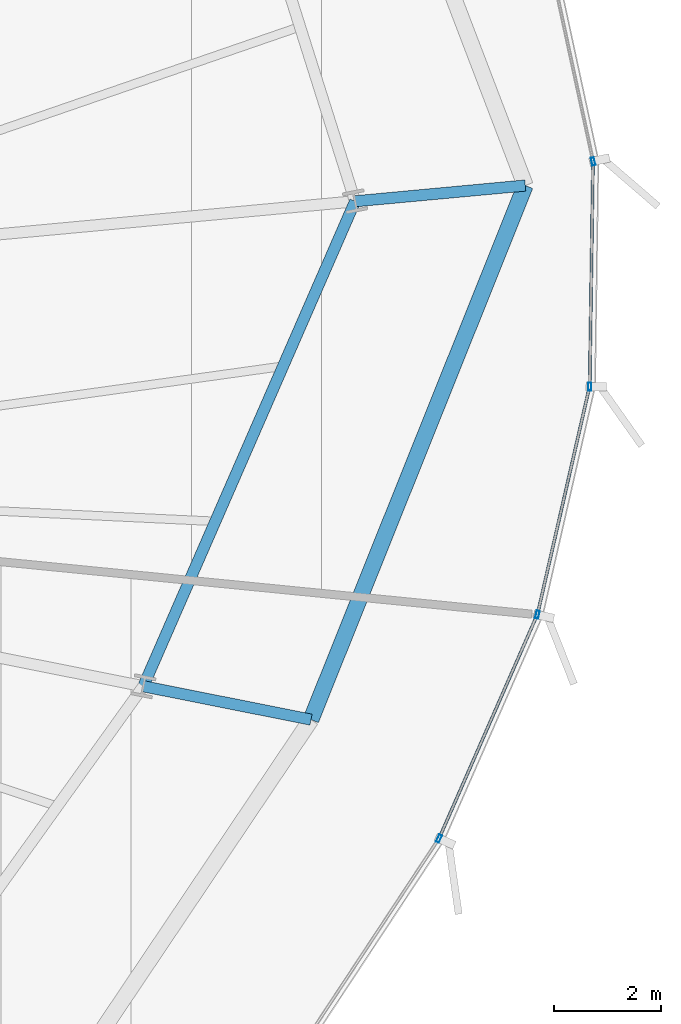
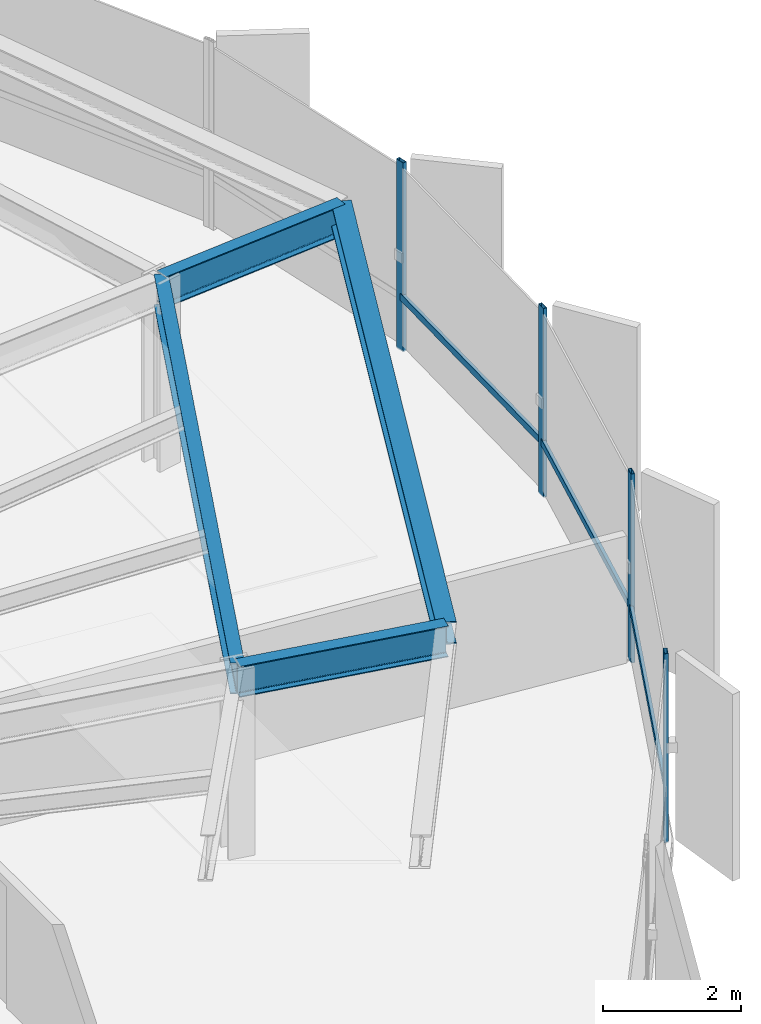
# One storey, part 16 of 33: 7 members, 4 beams, 1 element without a shape of its own.
"""IFC4 building model written with IfcOpenShell, lengths in metres."""

from ifc_helpers import new_model, si_unit, direction, frame, origin, origin_2d, place, context, subcontext, project, spatial, hollow_rectangle, i_section, extrude, source, transform, mapped, material, layer, layer_set, material_profile, profile_set, type_object, element, aggregate, save


model = new_model("IFC4")

# Units and contexts
model_context = context("Model", 3, precision=1e-05, world=origin(), true_north=direction((0.0, 1.0)))
body_context = subcontext(model_context, "Body", "Model", "MODEL_VIEW")
ifc_project = project(units=[si_unit("LENGTHUNIT", "METRE"), si_unit("AREAUNIT", "SQUARE_METRE"), si_unit("VOLUMEUNIT", "CUBIC_METRE"), si_unit("PLANEANGLEUNIT", "RADIAN"), si_unit("MASSUNIT", "GRAM", prefix="KILO"), si_unit("THERMODYNAMICTEMPERATUREUNIT", "KELVIN")], contexts=[model_context])

# Site, building, storey
site_placement = place(None, origin())
site = spatial("IfcSite", under=ifc_project, at=site_placement, CompositionType="ELEMENT")
building_placement = place(site_placement, origin())
building = spatial("IfcBuilding", under=site, at=building_placement, Name="Kethvar Cultural Tower", CompositionType="ELEMENT")
storey_placement = place(building_placement, frame((0.0, 0.0, 110.800048828125)))
storey = spatial("IfcBuildingStorey", under=building, at=storey_placement, Name="L27", CompositionType="ELEMENT", Elevation=110.800048828125)

# Beams
ifc_material_1 = material(Name="Steel S355J2", Category="steel")
ifc_material_profile_1 = material_profile(ifc_material_1, i_section(OverallWidth=0.2099609375, OverallDepth=0.550048828125, WebThickness=0.010986328125, FlangeThickness=0.01708984375, FilletRadius=0.02392578125, at=origin_2d()), Name="Steel S355J2 — IPE550")
ifc_profile_set_1 = profile_set([ifc_material_profile_1], Name="Steel S355J2 — IPE550")
beam_type_1 = type_object("IfcBeamType", Name="BM-IPE550", PredefinedType="BEAM", material=ifc_profile_set_1)
shared_shape_1 = source(origin(), body_context, "Body", "SweptSolid", [
    extrude(i_section(OverallWidth=0.2099609375, OverallDepth=0.550048828125, WebThickness=0.010986328125, FlangeThickness=0.01708984375, FilletRadius=0.02392578125, at=origin_2d()), origin(), (0.0, 0.0, 1.0), 3.199951171875),
])
for number, where, z_axis, x_axis, name in (
    (1, (71.6025390625, 32.7333984375, 3.072998046875), (0.995729641608, 0.092317283453, 0.0), (-0.092317283453, 0.995729641608, 0.0), "L27 Perimeter Cantilever Beam RC-01"),
    (2, (67.638671875, 23.65478515625, 3.072998046875), (0.980785550224, -0.195088965533, 0.0), (0.195088965533, 0.980785550224, 0.0), "L27 Perimeter Cantilever Beam RC-16"),
):
    element("IfcBeam", number, at=place(storey_placement, frame(where, z_axis=z_axis, x_axis=x_axis)), inside=storey, type_object=beam_type_1, Name=name, PredefinedType="BEAM", context=body_context, shape_type="MappedRepresentation", body=[
        mapped(shared_shape_1, transform((0.0, 0.0, 0.0), scale=1.0)),
    ])
shared_shape_2 = source(origin(), body_context, "Body", "SweptSolid", [
    extrude(i_section(OverallWidth=0.2099609375, OverallDepth=0.550048828125, WebThickness=0.010986328125, FlangeThickness=0.01708984375, FilletRadius=0.02392578125, at=origin_2d()), origin(), (0.0, 0.0, 1.0), 9.90625),
])
beam_1_placement = place(storey_placement, frame((67.638671875, 23.65478515625, 3.072998046875), z_axis=(0.400138679026, 0.916454602011, 0.0), x_axis=(-0.916454602011, 0.400138679026, 0.0)))
element("IfcBeam", 3, at=beam_1_placement, inside=storey, type_object=beam_type_1, Name="L27 Column Ring Tie Beam CR-16", PredefinedType="BEAM", context=body_context, shape_type="MappedRepresentation", body=[
    mapped(shared_shape_2, transform((0.0, 0.0, 0.0), scale=1.0)),
])
ifc_material_profile_2 = material_profile(ifc_material_1, i_section(OverallWidth=0.300048828125, OverallDepth=0.39990234375, WebThickness=0.013427734375, FlangeThickness=0.02392578125, FilletRadius=0.027099609375, at=origin_2d()), Name="Steel S355J2 — HEB400")
ifc_profile_set_2 = profile_set([ifc_material_profile_2], Name="Steel S355J2 — HEB400")
beam_type_2 = type_object("IfcBeamType", Name="BM-SP400", PredefinedType="SPANDREL", material=ifc_profile_set_2)
shared_shape_3 = source(origin(), body_context, "Body", "SweptSolid", [
    extrude(i_section(OverallWidth=0.300048828125, OverallDepth=0.39990234375, WebThickness=0.013427734375, FlangeThickness=0.02392578125, FilletRadius=0.027099609375, at=origin_2d()), origin(), (0.0, 0.0, 1.0), 10.773193359375),
])
beam_2_placement = place(storey_placement, frame((70.777099609375, 23.030517578125, 3.14794921875), z_axis=(0.372382905959, 0.928079183771, 0.0), x_axis=(-0.928079183771, 0.372382905959, 0.0)))
element("IfcBeam", 4, at=beam_2_placement, inside=storey, type_object=beam_type_2, Name="L27 Perimeter Spandrel Beam SP-16", PredefinedType="SPANDREL", context=body_context, shape_type="MappedRepresentation", body=[
    mapped(shared_shape_3, transform((0.0, 0.0, 0.0), scale=1.0)),
])

# Curtain wall, members
ifc_material_2 = material(Name="Aluminium 6063-T6", Category="aluminium")
ifc_layer = layer(ifc_material_2, 0.179931640625, Name="Aluminium 6063-T6", Category="aluminium")
ifc_layer_set = layer_set([ifc_layer], Name="Aluminium 6063-T6 (180 mm)")
curtain_wall_type = type_object("IfcCurtainWallType", Name="CW-SYS-03-Z2", PredefinedType="NOTDEFINED", material=ifc_layer_set)
curtain_wall_placement = place(storey_placement, origin())
curtain_wall = element("IfcCurtainWall", 5, at=curtain_wall_placement, inside=storey, type_object=curtain_wall_type, Name="L27 Curtain Wall Run 06", PredefinedType="NOTDEFINED")
ifc_material_profile_3 = material_profile(ifc_material_2, hollow_rectangle(XDim=0.06005859375, YDim=0.14990234375, WallThickness=0.0048828125, at=origin_2d()), Name="Aluminium 6063-T6 — RHS150x60x5")
ifc_profile_set_3 = profile_set([ifc_material_profile_3], Name="Aluminium 6063-T6 — RHS150x60x5")
member_type_1 = type_object("IfcMemberType", Name="CW-SYS-03-Z2-MUL", PredefinedType="MULLION", material=ifc_profile_set_3)
shared_shape_4 = source(origin(), body_context, "Body", "SweptSolid", [
    extrude(hollow_rectangle(XDim=0.06005859375, YDim=0.14990234375, WallThickness=0.0048828125, at=origin_2d()), origin(), (0.0, 0.0, 1.0), 3.349853515625),
])
member_1_placement = place(storey_placement, frame((73.173828125, 20.80419921875, 0.0), z_axis=(0.0, 0.0, 1.0), x_axis=(-0.915669608512, 0.401931795268, 0.0)))
member_1 = element("IfcMember", 6, at=member_1_placement, type_object=member_type_1, Name="CW-L27-R06 Mullion 2", PredefinedType="MULLION", context=body_context, shape_type="MappedRepresentation", body=[
    mapped(shared_shape_4, transform((0.0, 0.0, 0.0), scale=1.0)),
])
member_2_placement = place(storey_placement, frame((75.015380859375, 24.99462890625, 0.0), z_axis=(0.0, 0.0, 1.0), x_axis=(-0.974854623463, 0.222841789423, 0.0)))
member_2 = element("IfcMember", 7, at=member_2_placement, type_object=member_type_1, Name="CW-L27-R06 Mullion 3", PredefinedType="MULLION", context=body_context, shape_type="MappedRepresentation", body=[
    mapped(shared_shape_4, transform((0.0, 0.0, 0.0), scale=1.0)),
])
member_3_placement = place(storey_placement, frame((75.994384765625, 29.265869140625, 0.0), z_axis=(0.0, 0.0, 1.0), x_axis=(-0.999892532899, 0.01466024053, 0.0)))
member_3 = element("IfcMember", 8, at=member_3_placement, type_object=member_type_1, Name="CW-L27-R06 Mullion 4", PredefinedType="MULLION", context=body_context, shape_type="MappedRepresentation", body=[
    mapped(shared_shape_4, transform((0.0, 0.0, 0.0), scale=1.0)),
])
member_4_placement = place(storey_placement, frame((76.05908203125, 33.48046875, 0.0), z_axis=(0.0, 0.0, 1.0), x_axis=(-0.977456447721, -0.211137142181, 0.0)))
member_4 = element("IfcMember", 9, at=member_4_placement, type_object=member_type_1, Name="CW-L27-R06 Mullion 5", PredefinedType="MULLION", context=body_context, shape_type="MappedRepresentation", body=[
    mapped(shared_shape_4, transform((0.0, 0.0, 0.0), scale=1.0)),
])
ifc_material_profile_4 = material_profile(ifc_material_2, hollow_rectangle(XDim=0.054931640625, YDim=0.1201171875, WallThickness=0.00390625, at=origin_2d()), Name="Aluminium 6063-T6 — RHS120x55x4")
ifc_profile_set_4 = profile_set([ifc_material_profile_4], Name="Aluminium 6063-T6 — RHS120x55x4")
member_type_2 = type_object("IfcMemberType", Name="CW-SYS-03-Z2-TRN", PredefinedType="USERDEFINED", material=ifc_profile_set_4)
shared_shape_5 = source(origin(), body_context, "Body", "SweptSolid", [
    extrude(hollow_rectangle(XDim=0.054931640625, YDim=0.1201171875, WallThickness=0.00390625, at=origin_2d()), origin(), (0.0, 0.0, 1.0), 4.154541015625),
])
member_5_placement = place(storey_placement, frame((75.9951171875, 29.30908203125, 0.949951171875), z_axis=(0.014632579582, 0.999892938076, 0.0), x_axis=(-0.999892938076, 0.014632579582, 0.0)))
member_5 = element("IfcMember", 10, at=member_5_placement, type_object=member_type_2, Name="CW-L27-R06 Transom 4", ObjectType="TRANSOM", PredefinedType="USERDEFINED", context=body_context, shape_type="MappedRepresentation", body=[
    mapped(shared_shape_5, transform((0.0, 0.0, 0.0), scale=1.0)),
])
shared_shape_6 = source(origin(), body_context, "Body", "SweptSolid", [
    extrude(hollow_rectangle(XDim=0.054931640625, YDim=0.1201171875, WallThickness=0.00390625, at=origin_2d()), origin(), (0.0, 0.0, 1.0), 4.3193359375),
])
member_6_placement = place(storey_placement, frame((75.025146484375, 25.036865234375, 0.949951171875), z_axis=(0.22286930912, 0.974848332333, 0.0), x_axis=(-0.974848332333, 0.22286930912, 0.0)))
member_6 = element("IfcMember", 11, at=member_6_placement, type_object=member_type_2, Name="CW-L27-R06 Transom 3", ObjectType="TRANSOM", PredefinedType="USERDEFINED", context=body_context, shape_type="MappedRepresentation", body=[
    mapped(shared_shape_6, transform((0.0, 0.0, 0.0), scale=1.0)),
])
shared_shape_7 = source(origin(), body_context, "Body", "SweptSolid", [
    extrude(hollow_rectangle(XDim=0.054931640625, YDim=0.1201171875, WallThickness=0.00390625, at=origin_2d()), origin(), (0.0, 0.0, 1.0), 4.51220703125),
])
member_7_placement = place(storey_placement, frame((73.19140625, 20.843994140625, 0.949951171875), z_axis=(0.401897122297, 0.915684827377, 0.0), x_axis=(-0.915684827377, 0.401897122297, 0.0)))
member_7 = element("IfcMember", 12, at=member_7_placement, type_object=member_type_2, Name="CW-L27-R06 Transom 2", ObjectType="TRANSOM", PredefinedType="USERDEFINED", context=body_context, shape_type="MappedRepresentation", body=[
    mapped(shared_shape_7, transform((0.0, 0.0, 0.0), scale=1.0)),
])
aggregate(curtain_wall, [member_1, member_2, member_3, member_4, member_7, member_6, member_5])

save(model, "model.ifc")
